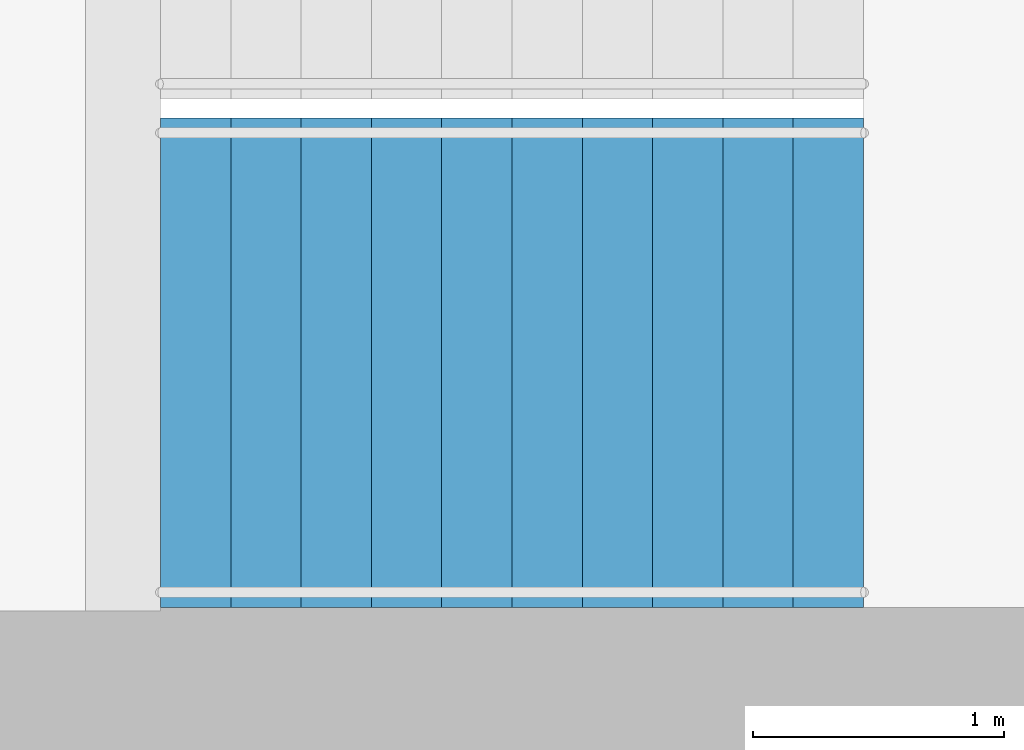
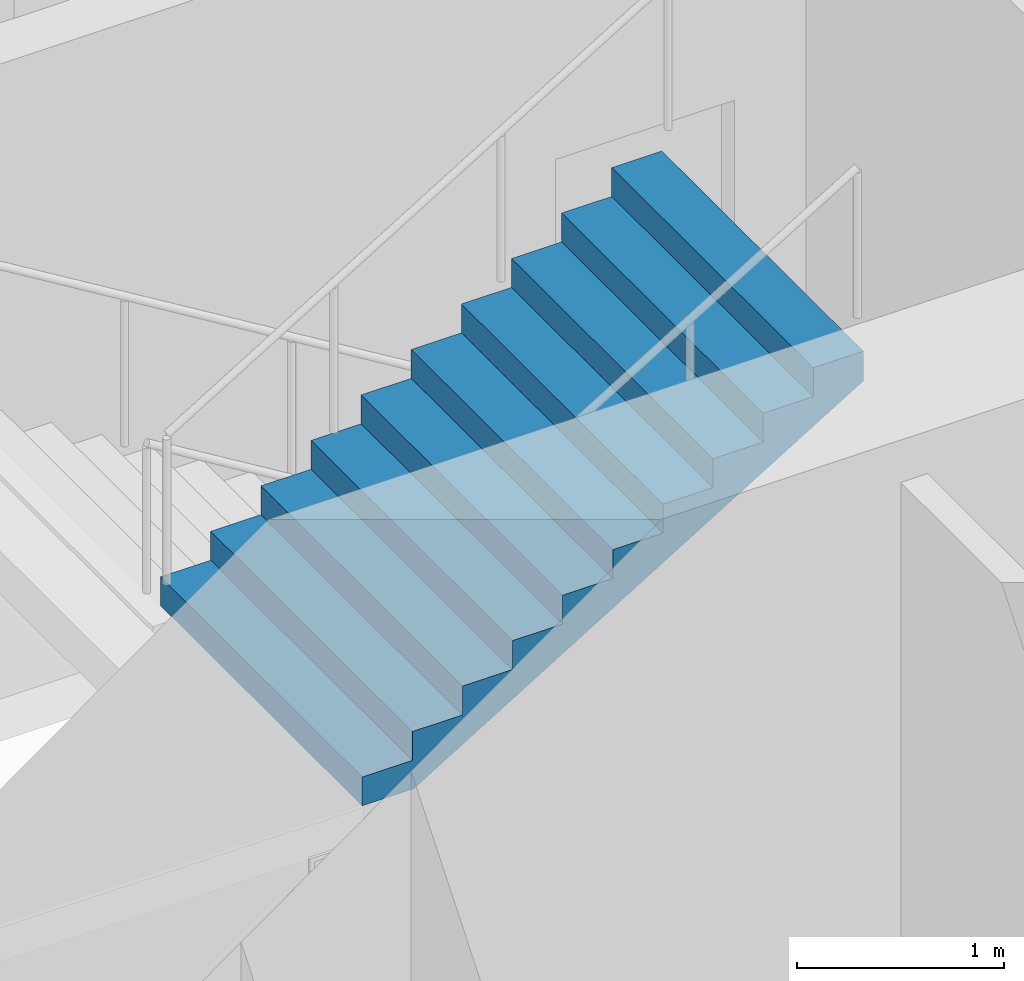
# One storey, part 20 of 22: 1 stair flight, 1 element without a shape of its own.
"""IFC4 building model written with IfcOpenShell, lengths in metres."""

import ifcopenshell
import ifcopenshell.guid

model = None  # the IFC model being written
_history = None  # IfcOwnerHistory: only IFC2X3 demands one
_inside = {}  # id of a spatial element -> (the spatial element, [elements in it])
_under = {}  # id of a project, library or spatial element -> (it, [spatial elements below it])
_declared = {}  # id of a project -> (the project, [libraries it declares])
_typed = {}  # id of a type object -> (the type object, [elements of that type])
_made_of = {}  # id of a material, layer set ... -> (it, [elements and type objects made of it])


def new_model(schema):
    """Start an empty IFC model of exactly this schema.

    Asked for "IFC4X3", IfcOpenShell would pick the latest addendum, in which some entities
    have other attributes; the version numbers below select the first issue.
    IFC2X3 requires an IfcOwnerHistory on every rooted entity: one is made here for all.
    """
    global model, _history
    if schema == "IFC4X3":
        model = ifcopenshell.file(schema_version=(4, 3, 0, 0))
    else:
        model = ifcopenshell.file(schema=schema)
    _inside.clear()
    _under.clear()
    _declared.clear()
    _typed.clear()
    _made_of.clear()
    _history = None
    if model.schema == "IFC2X3":
        org = make("IfcOrganization", Name="unknown")
        user = make(
            "IfcPersonAndOrganization",
            ThePerson=make("IfcPerson", FamilyName="unknown"),
            TheOrganization=org,
        )
        app = make(
            "IfcApplication",
            ApplicationDeveloper=org,
            Version="unknown",
            ApplicationFullName="unknown",
            ApplicationIdentifier="unknown",
        )
        _history = make(
            "IfcOwnerHistory",
            OwningUser=user,
            OwningApplication=app,
            ChangeAction="ADDED",
            CreationDate=0,
        )
    return model


def make(cls, **values):
    """One entity of the class cls with the attributes given. An attribute that is None is left unset."""
    return model.create_entity(
        cls, **{name: value for name, value in values.items() if value is not None}
    )


def rooted(cls, **values):
    """An entity with a GlobalId (a new one), such as an element, a storey or a relation."""
    return make(cls, GlobalId=ifcopenshell.guid.new(), OwnerHistory=_history, **values)


def si_unit(unit_type, name, prefix=None):
    """IfcSIUnit, for example si_unit("LENGTHUNIT", "METRE", prefix="MILLI")."""
    return make("IfcSIUnit", UnitType=unit_type, Prefix=prefix, Name=name)


def assignment(units):
    """IfcUnitAssignment: the units of a project."""
    return None if units is None else make("IfcUnitAssignment", Units=units)


def point(xyz):
    """IfcCartesianPoint."""
    return None if xyz is None else make("IfcCartesianPoint", Coordinates=xyz)


def direction(xyz):
    """IfcDirection."""
    return None if xyz is None else make("IfcDirection", DirectionRatios=xyz)


def frame(location, z_axis=None, x_axis=None):
    """IfcAxis2Placement3D, a coordinate frame: its origin and axes. An axis left out is left unset."""
    return make(
        "IfcAxis2Placement3D",
        Location=point(location),
        Axis=direction(z_axis),
        RefDirection=direction(x_axis),
    )


def origin():
    """The frame at (0, 0, 0) with its axes left unset."""
    return frame((0.0, 0.0, 0.0))


def place(relative_to, where):
    """IfcLocalPlacement: puts the frame where relative to a parent placement (None: the world)."""
    return make(
        "IfcLocalPlacement", PlacementRelTo=relative_to, RelativePlacement=where
    )


def context(
    kind, dimensions, precision=None, world=None, true_north=None, identifier=None
):
    """IfcGeometricRepresentationContext, for example the 3D "Model" context."""
    return make(
        "IfcGeometricRepresentationContext",
        ContextIdentifier=identifier,
        ContextType=kind,
        CoordinateSpaceDimension=dimensions,
        Precision=precision,
        WorldCoordinateSystem=world,
        TrueNorth=true_north,
    )


def subcontext(parent, identifier, kind, view, scale=None):
    """IfcGeometricRepresentationSubContext, for example "Body" below "Model"."""
    return make(
        "IfcGeometricRepresentationSubContext",
        ContextIdentifier=identifier,
        ContextType=kind,
        ParentContext=parent,
        TargetScale=scale,
        TargetView=view,
    )


def project(units=None, contexts=None):
    """IfcProject with its units and contexts."""
    return rooted(
        "IfcProject",
        Name="project",
        RepresentationContexts=contexts,
        UnitsInContext=assignment(units),
    )


def spatial(cls, under=None, at=None, **own):
    """A site, building, storey or space (cls), placed at a placement, below another one or the project."""
    s = rooted(cls, ObjectPlacement=at, **own)
    if under is not None:
        _under.setdefault(under.id(), (under, []))[1].append(s)
    return s


def point_list(points):
    """IfcCartesianPointList2D or 3D."""
    cls = (
        "IfcCartesianPointList2D" if len(points[0]) == 2 else "IfcCartesianPointList3D"
    )
    return make(cls, CoordList=points)


def triangles(points, corners, closed=None, point_numbers=None):
    """IfcTriangulatedFaceSet: each triangle names its three corners, points numbered from 1."""
    return make(
        "IfcTriangulatedFaceSet",
        Coordinates=point_list(points),
        Closed=closed,
        CoordIndex=corners,
        PnIndex=point_numbers,
    )


def shape(context_of_items, identifier, shape_type, items):
    """IfcShapeRepresentation: the items that make up one representation, for example the "Body"."""
    return make(
        "IfcShapeRepresentation",
        ContextOfItems=context_of_items,
        RepresentationIdentifier=identifier,
        RepresentationType=shape_type,
        Items=items,
    )


def material(Name=None, Category=None):
    """IfcMaterial."""
    return make("IfcMaterial", Name=Name, Category=Category)


def made_of(thing, what):
    """Note that an element or type object is made of a material, layer set ...; save() writes the relation."""
    if what is not None:
        _made_of.setdefault(what.id(), (what, []))[1].append(thing)
    return thing


def type_object(cls, material=None, **own):
    """A type object (cls), such as IfcWallType, which elements share."""
    return made_of(rooted(cls, **own), material)


def element(
    cls,
    number,
    at=None,
    inside=None,
    cuts=None,
    type_object=None,
    material=None,
    context=None,
    identifier="Body",
    shape_type=None,
    held_by="IfcProductDefinitionShape",
    body=None,
    shapes=None,
    **own,
):
    """One element of the class cls, such as IfcWall. Its Tag is "e" and its number.

    at: its placement. inside: the storey or other place that contains it. cuts: it is an
    opening in that element (IfcRelVoidsElement). A single representation is given by context,
    identifier, shape_type and body (its items); several are given by shapes. held_by: the class
    of the entity that holds the representations. save() writes the other relations.
    """
    e = rooted(cls, Tag="e%d" % number, ObjectPlacement=at, **own)
    if body is not None:
        shapes = [shape(context, identifier, shape_type, body)]
    if shapes is not None:
        e.Representation = make(held_by, Representations=shapes)
    if inside is not None:
        _inside.setdefault(inside.id(), (inside, []))[1].append(e)
    if cuts is not None:
        rooted(
            "IfcRelVoidsElement", RelatingBuildingElement=cuts, RelatedOpeningElement=e
        )
    if type_object is not None:
        _typed.setdefault(type_object.id(), (type_object, []))[1].append(e)
    return made_of(e, material)


def aggregate(whole, parts):
    """IfcRelAggregates: a whole, such as a stair, and the parts it consists of."""
    return rooted("IfcRelAggregates", RelatingObject=whole, RelatedObjects=parts)


def save(model, path):
    """Write the relations noted so far, then the file.

    IfcRelAggregates (storeys below a building ...), IfcRelContainedInSpatialStructure (elements
    in a storey), IfcRelDefinesByType, IfcRelAssociatesMaterial and IfcRelDeclares: one each for
    every whole, place, type object, material and project.
    """
    for whole, parts in _under.values():
        aggregate(whole, parts)
    for where, things in _inside.values():
        rooted(
            "IfcRelContainedInSpatialStructure",
            RelatedElements=things,
            RelatingStructure=where,
        )
    for kind, things in _typed.values():
        rooted("IfcRelDefinesByType", RelatedObjects=things, RelatingType=kind)
    for what, things in _made_of.values():
        rooted("IfcRelAssociatesMaterial", RelatedObjects=things, RelatingMaterial=what)
    for by, libraries in _declared.values():
        rooted("IfcRelDeclares", RelatingContext=by, RelatedDefinitions=libraries)
    model.write(path)


model = new_model("IFC4")

# Units and contexts
model_context = context("Model", 3, precision=1e-05, world=origin(), true_north=direction((0.0, 1.0)))
body_context = subcontext(model_context, "Body", "Model", "MODEL_VIEW")
ifc_project = project(units=[si_unit("LENGTHUNIT", "METRE"), si_unit("AREAUNIT", "SQUARE_METRE"), si_unit("VOLUMEUNIT", "CUBIC_METRE"), si_unit("PLANEANGLEUNIT", "RADIAN"), si_unit("MASSUNIT", "GRAM", prefix="KILO")], contexts=[model_context])

# Site, building, storey
site_placement = place(None, origin())
site = spatial("IfcSite", under=ifc_project, at=site_placement, CompositionType="ELEMENT")
building_placement = place(site_placement, origin())
building = spatial("IfcBuilding", under=site, at=building_placement, Name="Orbita Commons", CompositionType="ELEMENT")
storey_placement = place(building_placement, frame((0.0, 0.0, 118.14990234375)))
storey = spatial("IfcBuildingStorey", under=building, at=storey_placement, Name="L29", CompositionType="ELEMENT", Elevation=118.14990234375)

# Stair, stair flight
ifc_material_1 = material(Name="Precast concrete C40/50", Category="concrete")
stair_type = type_object("IfcStairType", Name="Exit stair S2 2 flights 11 risers 170", PredefinedType="HALF_TURN_STAIR", material=ifc_material_1)
stair_placement = place(storey_placement, origin())
stair = element("IfcStair", 1, at=stair_placement, inside=storey, type_object=stair_type, Name="Exit stair S2 L29", PredefinedType="HALF_TURN_STAIR")
ifc_material_2 = material(Name="Precast concrete C40/50", Category="concrete")
stair_flight_type = type_object("IfcStairFlightType", Name="Stair flight 11 risers 170 x 280", PredefinedType="STRAIGHT", material=ifc_material_2)
stair_flight_placement = place(storey_placement, frame((60.75, 27.25, 1.875), z_axis=(0.0, 0.0, 1.0), x_axis=(1.0, 0.0, 0.0)))
stair_flight = element("IfcStairFlight", 2, at=stair_flight_placement, type_object=stair_flight_type, Name="S2 flight 2", NumberOfRisers=11, NumberOfTreads=10, PredefinedType="STRAIGHT", RiserHeight=0.170454545, TreadLength=0.28, context=body_context, shape_type="Tessellation", body=[
    triangles([(0.0, 0.974976, 0.0), (0.0, 0.974976, 0.021307), (0.0, 0.81248, 0.021307), (0.0, 0.81248, 0.0), (0.0, 0.649984, 0.021307), (0.0, 0.649984, 0.0), (0.0, 0.487488, 0.021307), (0.0, 0.487488, 0.0), (0.0, 0.324992, 0.021307), (0.0, 0.324992, 0.0), (0.0, 0.162496, 0.021307), (0.0, 0.162496, 0.0), (0.0, 0.0, 0.021307), (0.0, 0.0, 0.0), (0.0, -0.162496, 0.021307), (0.0, -0.162496, 0.0), (0.0, -0.324992, 0.021307), (0.0, -0.324992, 0.0), (0.0, -0.487488, 0.021307), (0.0, -0.487488, 0.0), (0.0, -0.649984, 0.021307), (0.0, -0.649984, 0.0), (0.0, -0.81248, 0.021307), (0.0, -0.81248, 0.0), (0.0, -0.974976, 0.021307), (0.0, -0.974976, 0.0), (0.0, 0.974976, 0.042614), (0.0, 0.81248, 0.042614), (0.0, 0.649984, 0.042614), (0.0, 0.487488, 0.042614), (0.0, 0.324992, 0.042614), (0.0, 0.162496, 0.042614), (0.0, 0.0, 0.042614), (0.0, -0.162496, 0.042614), (0.0, -0.324992, 0.042614), (0.0, -0.487488, 0.042614), (0.0, -0.649984, 0.042614), (0.0, -0.81248, 0.042614), (0.0, -0.974976, 0.042614), (0.0, 0.974976, 0.06392), (0.0, 0.81248, 0.06392), (0.0, 0.649984, 0.06392), (0.0, 0.487488, 0.06392), (0.0, 0.324992, 0.06392), (0.0, 0.162496, 0.06392), (0.0, 0.0, 0.06392), (0.0, -0.162496, 0.06392), (0.0, -0.324992, 0.06392), (0.0, -0.487488, 0.06392), (0.0, -0.649984, 0.06392), (0.0, -0.81248, 0.06392), (0.0, -0.974976, 0.06392), (0.0, 0.974976, 0.085227), (0.0, 0.81248, 0.085227), (0.0, 0.649984, 0.085227), (0.0, 0.487488, 0.085227), (0.0, 0.324992, 0.085227), (0.0, 0.162496, 0.085227), (0.0, 0.0, 0.085227), (0.0, -0.162496, 0.085227), (0.0, -0.324992, 0.085227), (0.0, -0.487488, 0.085227), (0.0, -0.649984, 0.085227), (0.0, -0.81248, 0.085227), (0.0, -0.974976, 0.085227), (0.0, 0.974976, 0.106534), (0.0, 0.81248, 0.106534), (0.0, 0.649984, 0.106534), (0.0, 0.487488, 0.106534), (0.0, 0.324992, 0.106534), (0.0, 0.162496, 0.106534), (0.0, 0.0, 0.106534), (0.0, -0.162496, 0.106534), (0.0, -0.324992, 0.106534), (0.0, -0.487488, 0.106534), (0.0, -0.649984, 0.106534), (0.0, -0.81248, 0.106534), (0.0, -0.974976, 0.106534), (0.0, 0.974976, 0.127841), (0.0, 0.81248, 0.127841), (0.0, 0.649984, 0.127841), (0.0, 0.487488, 0.127841), (0.0, 0.324992, 0.127841), (0.0, 0.162496, 0.127841), (0.0, 0.0, 0.127841), (0.0, -0.162496, 0.127841), (0.0, -0.324992, 0.127841), (0.0, -0.487488, 0.127841), (0.0, -0.649984, 0.127841), (0.0, -0.81248, 0.127841), (0.0, -0.974976, 0.127841), (0.0, 0.974976, 0.149148), (0.0, 0.81248, 0.149148), (0.0, 0.649984, 0.149148), (0.0, 0.487488, 0.149148), (0.0, 0.324992, 0.149148), (0.0, 0.162496, 0.149148), (0.0, 0.0, 0.149148), (0.0, -0.162496, 0.149148), (0.0, -0.324992, 0.149148), (0.0, -0.487488, 0.149148), (0.0, -0.649984, 0.149148), (0.0, -0.81248, 0.149148), (0.0, -0.974976, 0.149148), (0.0, 0.974976, 0.170455), (0.0, 0.81248, 0.170455), (0.0, 0.649984, 0.170455), (0.0, 0.487488, 0.170455), (0.0, 0.324992, 0.170455), (0.0, 0.162496, 0.170455), (0.0, 0.0, 0.170455), (0.0, -0.162496, 0.170455), (0.0, -0.324992, 0.170455), (0.0, -0.487488, 0.170455), (0.0, -0.649984, 0.170455), (0.0, -0.81248, 0.170455), (0.0, -0.974976, 0.170455), (0.28, 0.974976, 0.170455), (0.28, 0.81248, 0.170455), (0.28, 0.649984, 0.170455), (0.28, 0.487488, 0.170455), (0.28, 0.324992, 0.170455), (0.28, 0.162496, 0.170455), (0.28, 0.0, 0.170455), (0.28, -0.162496, 0.170455), (0.28, -0.324992, 0.170455), (0.28, -0.487488, 0.170455), (0.28, -0.649984, 0.170455), (0.28, -0.81248, 0.170455), (0.28, -0.974976, 0.170455), (0.28, 0.974976, 0.340909), (0.28, 0.81248, 0.340909), (0.28, 0.649984, 0.340909), (0.28, 0.487488, 0.340909), (0.28, 0.324992, 0.340909), (0.28, 0.162496, 0.340909), (0.28, 0.0, 0.340909), (0.28, -0.162496, 0.340909), (0.28, -0.324992, 0.340909), (0.28, -0.487488, 0.340909), (0.28, -0.649984, 0.340909), (0.28, -0.81248, 0.340909), (0.28, -0.974976, 0.340909), (0.56, 0.974976, 0.340909), (0.56, 0.81248, 0.340909), (0.56, 0.649984, 0.340909), (0.56, 0.487488, 0.340909), (0.56, 0.324992, 0.340909), (0.56, 0.162496, 0.340909), (0.56, 0.0, 0.340909), (0.56, -0.162496, 0.340909), (0.56, -0.324992, 0.340909), (0.56, -0.487488, 0.340909), (0.56, -0.649984, 0.340909), (0.56, -0.81248, 0.340909), (0.56, -0.974976, 0.340909), (0.56, 0.974976, 0.511364), (0.56, 0.81248, 0.511364), (0.56, 0.649984, 0.511364), (0.56, 0.487488, 0.511364), (0.56, 0.324992, 0.511364), (0.56, 0.162496, 0.511364), (0.56, 0.0, 0.511364), (0.56, -0.162496, 0.511364), (0.56, -0.324992, 0.511364), (0.56, -0.487488, 0.511364), (0.56, -0.649984, 0.511364), (0.56, -0.81248, 0.511364), (0.56, -0.974976, 0.511364), (0.84, 0.974976, 0.511364), (0.84, 0.81248, 0.511364), (0.84, 0.649984, 0.511364), (0.84, 0.487488, 0.511364), (0.84, 0.324992, 0.511364), (0.84, 0.162496, 0.511364), (0.84, 0.0, 0.511364), (0.84, -0.162496, 0.511364), (0.84, -0.324992, 0.511364), (0.84, -0.487488, 0.511364), (0.84, -0.649984, 0.511364), (0.84, -0.81248, 0.511364), (0.84, -0.974976, 0.511364), (0.84, 0.974976, 0.681818), (0.84, 0.81248, 0.681818), (0.84, 0.649984, 0.681818), (0.84, 0.487488, 0.681818), (0.84, 0.324992, 0.681818), (0.84, 0.162496, 0.681818), (0.84, 0.0, 0.681818), (0.84, -0.162496, 0.681818), (0.84, -0.324992, 0.681818), (0.84, -0.487488, 0.681818), (0.84, -0.649984, 0.681818), (0.84, -0.81248, 0.681818), (0.84, -0.974976, 0.681818), (1.12, 0.974976, 0.681818), (1.12, 0.81248, 0.681818), (1.12, 0.649984, 0.681818), (1.12, 0.487488, 0.681818), (1.12, 0.324992, 0.681818), (1.12, 0.162496, 0.681818), (1.12, 0.0, 0.681818), (1.12, -0.162496, 0.681818), (1.12, -0.324992, 0.681818), (1.12, -0.487488, 0.681818), (1.12, -0.649984, 0.681818), (1.12, -0.81248, 0.681818), (1.12, -0.974976, 0.681818), (1.12, 0.974976, 0.852273), (1.12, 0.81248, 0.852273), (1.12, 0.649984, 0.852273), (1.12, 0.487488, 0.852273), (1.12, 0.324992, 0.852273), (1.12, 0.162496, 0.852273), (1.12, 0.0, 0.852273), (1.12, -0.162496, 0.852273), (1.12, -0.324992, 0.852273), (1.12, -0.487488, 0.852273), (1.12, -0.649984, 0.852273), (1.12, -0.81248, 0.852273), (1.12, -0.974976, 0.852273), (1.4, 0.974976, 0.852273), (1.4, 0.81248, 0.852273), (1.4, 0.649984, 0.852273), (1.4, 0.487488, 0.852273), (1.4, 0.324992, 0.852273), (1.4, 0.162496, 0.852273), (1.4, 0.0, 0.852273), (1.4, -0.162496, 0.852273), (1.4, -0.324992, 0.852273), (1.4, -0.487488, 0.852273), (1.4, -0.649984, 0.852273), (1.4, -0.81248, 0.852273), (1.4, -0.974976, 0.852273), (1.4, 0.974976, 1.022727), (1.4, 0.81248, 1.022727), (1.4, 0.649984, 1.022727), (1.4, 0.487488, 1.022727), (1.4, 0.324992, 1.022727), (1.4, 0.162496, 1.022727), (1.4, 0.0, 1.022727), (1.4, -0.162496, 1.022727), (1.4, -0.324992, 1.022727), (1.4, -0.487488, 1.022727), (1.4, -0.649984, 1.022727), (1.4, -0.81248, 1.022727), (1.4, -0.974976, 1.022727), (1.68, 0.974976, 1.022727), (1.68, 0.81248, 1.022727), (1.68, 0.649984, 1.022727), (1.68, 0.487488, 1.022727), (1.68, 0.324992, 1.022727), (1.68, 0.162496, 1.022727), (1.68, 0.0, 1.022727), (1.68, -0.162496, 1.022727), (1.68, -0.324992, 1.022727), (1.68, -0.487488, 1.022727), (1.68, -0.649984, 1.022727), (1.68, -0.81248, 1.022727), (1.68, -0.974976, 1.022727), (1.68, 0.974976, 1.193182), (1.68, 0.81248, 1.193182), (1.68, 0.649984, 1.193182), (1.68, 0.487488, 1.193182), (1.68, 0.324992, 1.193182), (1.68, 0.162496, 1.193182), (1.68, 0.0, 1.193182), (1.68, -0.162496, 1.193182), (1.68, -0.324992, 1.193182), (1.68, -0.487488, 1.193182), (1.68, -0.649984, 1.193182), (1.68, -0.81248, 1.193182), (1.68, -0.974976, 1.193182), (1.96, 0.974976, 1.193182), (1.96, 0.81248, 1.193182), (1.96, 0.649984, 1.193182), (1.96, 0.487488, 1.193182), (1.96, 0.324992, 1.193182), (1.96, 0.162496, 1.193182), (1.96, 0.0, 1.193182), (1.96, -0.162496, 1.193182), (1.96, -0.324992, 1.193182), (1.96, -0.487488, 1.193182), (1.96, -0.649984, 1.193182), (1.96, -0.81248, 1.193182), (1.96, -0.974976, 1.193182), (1.96, 0.974976, 1.363636), (1.96, 0.81248, 1.363636), (1.96, 0.649984, 1.363636), (1.96, 0.487488, 1.363636), (1.96, 0.324992, 1.363636), (1.96, 0.162496, 1.363636), (1.96, 0.0, 1.363636), (1.96, -0.162496, 1.363636), (1.96, -0.324992, 1.363636), (1.96, -0.487488, 1.363636), (1.96, -0.649984, 1.363636), (1.96, -0.81248, 1.363636), (1.96, -0.974976, 1.363636), (2.24, 0.974976, 1.363636), (2.24, 0.81248, 1.363636), (2.24, 0.649984, 1.363636), (2.24, 0.487488, 1.363636), (2.24, 0.324992, 1.363636), (2.24, 0.162496, 1.363636), (2.24, 0.0, 1.363636), (2.24, -0.162496, 1.363636), (2.24, -0.324992, 1.363636), (2.24, -0.487488, 1.363636), (2.24, -0.649984, 1.363636), (2.24, -0.81248, 1.363636), (2.24, -0.974976, 1.363636), (2.24, 0.974976, 1.534091), (2.24, 0.81248, 1.534091), (2.24, 0.649984, 1.534091), (2.24, 0.487488, 1.534091), (2.24, 0.324992, 1.534091), (2.24, 0.162496, 1.534091), (2.24, 0.0, 1.534091), (2.24, -0.162496, 1.534091), (2.24, -0.324992, 1.534091), (2.24, -0.487488, 1.534091), (2.24, -0.649984, 1.534091), (2.24, -0.81248, 1.534091), (2.24, -0.974976, 1.534091), (2.52, 0.974976, 1.534091), (2.52, 0.81248, 1.534091), (2.52, 0.649984, 1.534091), (2.52, 0.487488, 1.534091), (2.52, 0.324992, 1.534091), (2.52, 0.162496, 1.534091), (2.52, 0.0, 1.534091), (2.52, -0.162496, 1.534091), (2.52, -0.324992, 1.534091), (2.52, -0.487488, 1.534091), (2.52, -0.649984, 1.534091), (2.52, -0.81248, 1.534091), (2.52, -0.974976, 1.534091), (2.52, 0.974976, 1.704545), (2.52, 0.81248, 1.704545), (2.52, 0.649984, 1.704545), (2.52, 0.487488, 1.704545), (2.52, 0.324992, 1.704545), (2.52, 0.162496, 1.704545), (2.52, 0.0, 1.704545), (2.52, -0.162496, 1.704545), (2.52, -0.324992, 1.704545), (2.52, -0.487488, 1.704545), (2.52, -0.649984, 1.704545), (2.52, -0.81248, 1.704545), (2.52, -0.974976, 1.704545), (2.8, 0.974976, 1.704545), (2.8, 0.81248, 1.704545), (2.8, 0.649984, 1.704545), (2.8, 0.487488, 1.704545), (2.8, 0.324992, 1.704545), (2.8, 0.162496, 1.704545), (2.8, 0.0, 1.704545), (2.8, -0.162496, 1.704545), (2.8, -0.324992, 1.704545), (2.8, -0.487488, 1.704545), (2.8, -0.649984, 1.704545), (2.8, -0.81248, 1.704545), (2.8, -0.974976, 1.704545), (2.8, 0.974976, 1.682609), (2.8, 0.81248, 1.682609), (2.8, 0.649984, 1.682609), (2.8, 0.487488, 1.682609), (2.8, 0.324992, 1.682609), (2.8, 0.162496, 1.682609), (2.8, 0.0, 1.682609), (2.8, -0.162496, 1.682609), (2.8, -0.324992, 1.682609), (2.8, -0.487488, 1.682609), (2.8, -0.649984, 1.682609), (2.8, -0.81248, 1.682609), (2.8, -0.974976, 1.682609), (2.8, 0.974976, 1.660672), (2.8, 0.81248, 1.660672), (2.8, 0.649984, 1.660672), (2.8, 0.487488, 1.660672), (2.8, 0.324992, 1.660672), (2.8, 0.162496, 1.660672), (2.8, 0.0, 1.660672), (2.8, -0.162496, 1.660672), (2.8, -0.324992, 1.660672), (2.8, -0.487488, 1.660672), (2.8, -0.649984, 1.660672), (2.8, -0.81248, 1.660672), (2.8, -0.974976, 1.660672), (2.8, 0.974976, 1.638735), (2.8, 0.81248, 1.638735), (2.8, 0.649984, 1.638735), (2.8, 0.487488, 1.638735), (2.8, 0.324992, 1.638735), (2.8, 0.162496, 1.638735), (2.8, 0.0, 1.638735), (2.8, -0.162496, 1.638735), (2.8, -0.324992, 1.638735), (2.8, -0.487488, 1.638735), (2.8, -0.649984, 1.638735), (2.8, -0.81248, 1.638735), (2.8, -0.974976, 1.638735), (2.8, 0.974976, 1.616798), (2.8, 0.81248, 1.616798), (2.8, 0.649984, 1.616798), (2.8, 0.487488, 1.616798), (2.8, 0.324992, 1.616798), (2.8, 0.162496, 1.616798), (2.8, 0.0, 1.616798), (2.8, -0.162496, 1.616798), (2.8, -0.324992, 1.616798), (2.8, -0.487488, 1.616798), (2.8, -0.649984, 1.616798), (2.8, -0.81248, 1.616798), (2.8, -0.974976, 1.616798), (2.8, 0.974976, 1.594861), (2.8, 0.81248, 1.594861), (2.8, 0.649984, 1.594861), (2.8, 0.487488, 1.594861), (2.8, 0.324992, 1.594861), (2.8, 0.162496, 1.594861), (2.8, 0.0, 1.594861), (2.8, -0.162496, 1.594861), (2.8, -0.324992, 1.594861), (2.8, -0.487488, 1.594861), (2.8, -0.649984, 1.594861), (2.8, -0.81248, 1.594861), (2.8, -0.974976, 1.594861), (2.8, 0.974976, 1.572925), (2.8, 0.81248, 1.572925), (2.8, 0.649984, 1.572925), (2.8, 0.487488, 1.572925), (2.8, 0.324992, 1.572925), (2.8, 0.162496, 1.572925), (2.8, 0.0, 1.572925), (2.8, -0.162496, 1.572925), (2.8, -0.324992, 1.572925), (2.8, -0.487488, 1.572925), (2.8, -0.649984, 1.572925), (2.8, -0.81248, 1.572925), (2.8, -0.974976, 1.572925), (2.8, 0.974976, 1.550988), (2.8, 0.81248, 1.550988), (2.8, 0.649984, 1.550988), (2.8, 0.487488, 1.550988), (2.8, 0.324992, 1.550988), (2.8, 0.162496, 1.550988), (2.8, 0.0, 1.550988), (2.8, -0.162496, 1.550988), (2.8, -0.324992, 1.550988), (2.8, -0.487488, 1.550988), (2.8, -0.649984, 1.550988), (2.8, -0.81248, 1.550988), (2.8, -0.974976, 1.550988), (2.8, 0.974976, 1.529051), (2.8, 0.81248, 1.529051), (2.8, 0.649984, 1.529051), (2.8, 0.487488, 1.529051), (2.8, 0.324992, 1.529051), (2.8, 0.162496, 1.529051), (2.8, 0.0, 1.529051), (2.8, -0.162496, 1.529051), (2.8, -0.324992, 1.529051), (2.8, -0.487488, 1.529051), (2.8, -0.649984, 1.529051), (2.8, -0.81248, 1.529051), (2.8, -0.974976, 1.529051), (0.288279, 0.974976, 0.0), (0.288279, 0.81248, 0.0), (0.288279, 0.649984, 0.0), (0.288279, 0.487488, 0.0), (0.288279, 0.324992, 0.0), (0.288279, 0.162496, 0.0), (0.288279, 0.0, 0.0), (0.288279, -0.162496, 0.0), (0.288279, -0.324992, 0.0), (0.288279, -0.487488, 0.0), (0.288279, -0.649984, 0.0), (0.288279, -0.81248, 0.0), (0.288279, -0.974976, 0.0)], [[3, 2, 1], [4, 3, 1], [5, 3, 4], [6, 5, 4], [7, 5, 6], [8, 7, 6], [9, 7, 8], [10, 9, 8], [11, 9, 10], [12, 11, 10], [13, 11, 12], [14, 13, 12], [15, 13, 14], [16, 15, 14], [17, 15, 16], [18, 17, 16], [19, 17, 18], [20, 19, 18], [21, 19, 20], [22, 21, 20], [23, 21, 22], [24, 23, 22], [25, 23, 24], [26, 25, 24], [28, 27, 2], [3, 28, 2], [29, 28, 3], [5, 29, 3], [30, 29, 5], [7, 30, 5], [31, 30, 7], [9, 31, 7], [32, 31, 9], [11, 32, 9], [33, 32, 11], [13, 33, 11], [34, 33, 13], [15, 34, 13], [35, 34, 15], [17, 35, 15], [36, 35, 17], [19, 36, 17], [37, 36, 19], [21, 37, 19], [38, 37, 21], [23, 38, 21], [39, 38, 23], [25, 39, 23], [41, 40, 27], [28, 41, 27], [42, 41, 28], [29, 42, 28], [43, 42, 29], [30, 43, 29], [44, 43, 30], [31, 44, 30], [45, 44, 31], [32, 45, 31], [46, 45, 32], [33, 46, 32], [47, 46, 33], [34, 47, 33], [48, 47, 34], [35, 48, 34], [49, 48, 35], [36, 49, 35], [50, 49, 36], [37, 50, 36], [51, 50, 37], [38, 51, 37], [52, 51, 38], [39, 52, 38], [54, 53, 40], [41, 54, 40], [55, 54, 41], [42, 55, 41], [56, 55, 42], [43, 56, 42], [57, 56, 43], [44, 57, 43], [58, 57, 44], [45, 58, 44], [59, 58, 45], [46, 59, 45], [60, 59, 46], [47, 60, 46], [61, 60, 47], [48, 61, 47], [62, 61, 48], [49, 62, 48], [63, 62, 49], [50, 63, 49], [64, 63, 50], [51, 64, 50], [65, 64, 51], [52, 65, 51], [67, 66, 53], [54, 67, 53], [68, 67, 54], [55, 68, 54], [69, 68, 55], [56, 69, 55], [70, 69, 56], [57, 70, 56], [71, 70, 57], [58, 71, 57], [72, 71, 58], [59, 72, 58], [73, 72, 59], [60, 73, 59], [74, 73, 60], [61, 74, 60], [75, 74, 61], [62, 75, 61], [76, 75, 62], [63, 76, 62], [77, 76, 63], [64, 77, 63], [78, 77, 64], [65, 78, 64], [80, 79, 66], [67, 80, 66], [81, 80, 67], [68, 81, 67], [82, 81, 68], [69, 82, 68], [83, 82, 69], [70, 83, 69], [84, 83, 70], [71, 84, 70], [85, 84, 71], [72, 85, 71], [86, 85, 72], [73, 86, 72], [87, 86, 73], [74, 87, 73], [88, 87, 74], [75, 88, 74], [89, 88, 75], [76, 89, 75], [90, 89, 76], [77, 90, 76], [91, 90, 77], [78, 91, 77], [93, 92, 79], [80, 93, 79], [94, 93, 80], [81, 94, 80], [95, 94, 81], [82, 95, 81], [96, 95, 82], [83, 96, 82], [97, 96, 83], [84, 97, 83], [98, 97, 84], [85, 98, 84], [99, 98, 85], [86, 99, 85], [100, 99, 86], [87, 100, 86], [101, 100, 87], [88, 101, 87], [102, 101, 88], [89, 102, 88], [103, 102, 89], [90, 103, 89], [104, 103, 90], [91, 104, 90], [106, 105, 92], [93, 106, 92], [107, 106, 93], [94, 107, 93], [108, 107, 94], [95, 108, 94], [109, 108, 95], [96, 109, 95], [110, 109, 96], [97, 110, 96], [111, 110, 97], [98, 111, 97], [112, 111, 98], [99, 112, 98], [113, 112, 99], [100, 113, 99], [114, 113, 100], [101, 114, 100], [115, 114, 101], [102, 115, 101], [116, 115, 102], [103, 116, 102], [117, 116, 103], [104, 117, 103], [119, 118, 105], [106, 119, 105], [120, 119, 106], [107, 120, 106], [121, 120, 107], [108, 121, 107], [122, 121, 108], [109, 122, 108], [123, 122, 109], [110, 123, 109], [124, 123, 110], [111, 124, 110], [125, 124, 111], [112, 125, 111], [126, 125, 112], [113, 126, 112], [127, 126, 113], [114, 127, 113], [128, 127, 114], [115, 128, 114], [129, 128, 115], [116, 129, 115], [130, 129, 116], [117, 130, 116], [132, 131, 118], [119, 132, 118], [133, 132, 119], [120, 133, 119], [134, 133, 120], [121, 134, 120], [135, 134, 121], [122, 135, 121], [136, 135, 122], [123, 136, 122], [137, 136, 123], [124, 137, 123], [138, 137, 124], [125, 138, 124], [139, 138, 125], [126, 139, 125], [140, 139, 126], [127, 140, 126], [141, 140, 127], [128, 141, 127], [142, 141, 128], [129, 142, 128], [143, 142, 129], [130, 143, 129], [145, 144, 131], [132, 145, 131], [146, 145, 132], [133, 146, 132], [147, 146, 133], [134, 147, 133], [148, 147, 134], [135, 148, 134], [149, 148, 135], [136, 149, 135], [150, 149, 136], [137, 150, 136], [151, 150, 137], [138, 151, 137], [152, 151, 138], [139, 152, 138], [153, 152, 139], [140, 153, 139], [154, 153, 140], [141, 154, 140], [155, 154, 141], [142, 155, 141], [156, 155, 142], [143, 156, 142], [158, 157, 144], [145, 158, 144], [159, 158, 145], [146, 159, 145], [160, 159, 146], [147, 160, 146], [161, 160, 147], [148, 161, 147], [162, 161, 148], [149, 162, 148], [163, 162, 149], [150, 163, 149], [164, 163, 150], [151, 164, 150], [165, 164, 151], [152, 165, 151], [166, 165, 152], [153, 166, 152], [167, 166, 153], [154, 167, 153], [168, 167, 154], [155, 168, 154], [169, 168, 155], [156, 169, 155], [171, 170, 157], [158, 171, 157], [172, 171, 158], [159, 172, 158], [173, 172, 159], [160, 173, 159], [174, 173, 160], [161, 174, 160], [175, 174, 161], [162, 175, 161], [176, 175, 162], [163, 176, 162], [177, 176, 163], [164, 177, 163], [178, 177, 164], [165, 178, 164], [179, 178, 165], [166, 179, 165], [180, 179, 166], [167, 180, 166], [181, 180, 167], [168, 181, 167], [182, 181, 168], [169, 182, 168], [184, 183, 170], [171, 184, 170], [185, 184, 171], [172, 185, 171], [186, 185, 172], [173, 186, 172], [187, 186, 173], [174, 187, 173], [188, 187, 174], [175, 188, 174], [189, 188, 175], [176, 189, 175], [190, 189, 176], [177, 190, 176], [191, 190, 177], [178, 191, 177], [192, 191, 178], [179, 192, 178], [193, 192, 179], [180, 193, 179], [194, 193, 180], [181, 194, 180], [195, 194, 181], [182, 195, 181], [197, 196, 183], [184, 197, 183], [198, 197, 184], [185, 198, 184], [199, 198, 185], [186, 199, 185], [200, 199, 186], [187, 200, 186], [201, 200, 187], [188, 201, 187], [202, 201, 188], [189, 202, 188], [203, 202, 189], [190, 203, 189], [204, 203, 190], [191, 204, 190], [205, 204, 191], [192, 205, 191], [206, 205, 192], [193, 206, 192], [207, 206, 193], [194, 207, 193], [208, 207, 194], [195, 208, 194], [210, 209, 196], [197, 210, 196], [211, 210, 197], [198, 211, 197], [212, 211, 198], [199, 212, 198], [213, 212, 199], [200, 213, 199], [214, 213, 200], [201, 214, 200], [215, 214, 201], [202, 215, 201], [216, 215, 202], [203, 216, 202], [217, 216, 203], [204, 217, 203], [218, 217, 204], [205, 218, 204], [219, 218, 205], [206, 219, 205], [220, 219, 206], [207, 220, 206], [221, 220, 207], [208, 221, 207], [223, 222, 209], [210, 223, 209], [224, 223, 210], [211, 224, 210], [225, 224, 211], [212, 225, 211], [226, 225, 212], [213, 226, 212], [227, 226, 213], [214, 227, 213], [228, 227, 214], [215, 228, 214], [229, 228, 215], [216, 229, 215], [230, 229, 216], [217, 230, 216], [231, 230, 217], [218, 231, 217], [232, 231, 218], [219, 232, 218], [233, 232, 219], [220, 233, 219], [234, 233, 220], [221, 234, 220], [236, 235, 222], [223, 236, 222], [237, 236, 223], [224, 237, 223], [238, 237, 224], [225, 238, 224], [239, 238, 225], [226, 239, 225], [240, 239, 226], [227, 240, 226], [241, 240, 227], [228, 241, 227], [242, 241, 228], [229, 242, 228], [243, 242, 229], [230, 243, 229], [244, 243, 230], [231, 244, 230], [245, 244, 231], [232, 245, 231], [246, 245, 232], [233, 246, 232], [247, 246, 233], [234, 247, 233], [249, 248, 235], [236, 249, 235], [250, 249, 236], [237, 250, 236], [251, 250, 237], [238, 251, 237], [252, 251, 238], [239, 252, 238], [253, 252, 239], [240, 253, 239], [254, 253, 240], [241, 254, 240], [255, 254, 241], [242, 255, 241], [256, 255, 242], [243, 256, 242], [257, 256, 243], [244, 257, 243], [258, 257, 244], [245, 258, 244], [259, 258, 245], [246, 259, 245], [260, 259, 246], [247, 260, 246], [262, 261, 248], [249, 262, 248], [263, 262, 249], [250, 263, 249], [264, 263, 250], [251, 264, 250], [265, 264, 251], [252, 265, 251], [266, 265, 252], [253, 266, 252], [267, 266, 253], [254, 267, 253], [268, 267, 254], [255, 268, 254], [269, 268, 255], [256, 269, 255], [270, 269, 256], [257, 270, 256], [271, 270, 257], [258, 271, 257], [272, 271, 258], [259, 272, 258], [273, 272, 259], [260, 273, 259], [275, 274, 261], [262, 275, 261], [276, 275, 262], [263, 276, 262], [277, 276, 263], [264, 277, 263], [278, 277, 264], [265, 278, 264], [279, 278, 265], [266, 279, 265], [280, 279, 266], [267, 280, 266], [281, 280, 267], [268, 281, 267], [282, 281, 268], [269, 282, 268], [283, 282, 269], [270, 283, 269], [284, 283, 270], [271, 284, 270], [285, 284, 271], [272, 285, 271], [286, 285, 272], [273, 286, 272], [288, 287, 274], [275, 288, 274], [289, 288, 275], [276, 289, 275], [290, 289, 276], [277, 290, 276], [291, 290, 277], [278, 291, 277], [292, 291, 278], [279, 292, 278], [293, 292, 279], [280, 293, 279], [294, 293, 280], [281, 294, 280], [295, 294, 281], [282, 295, 281], [296, 295, 282], [283, 296, 282], [297, 296, 283], [284, 297, 283], [298, 297, 284], [285, 298, 284], [299, 298, 285], [286, 299, 285], [301, 300, 287], [288, 301, 287], [302, 301, 288], [289, 302, 288], [303, 302, 289], [290, 303, 289], [304, 303, 290], [291, 304, 290], [305, 304, 291], [292, 305, 291], [306, 305, 292], [293, 306, 292], [307, 306, 293], [294, 307, 293], [308, 307, 294], [295, 308, 294], [309, 308, 295], [296, 309, 295], [310, 309, 296], [297, 310, 296], [311, 310, 297], [298, 311, 297], [312, 311, 298], [299, 312, 298], [314, 313, 300], [301, 314, 300], [315, 314, 301], [302, 315, 301], [316, 315, 302], [303, 316, 302], [317, 316, 303], [304, 317, 303], [318, 317, 304], [305, 318, 304], [319, 318, 305], [306, 319, 305], [320, 319, 306], [307, 320, 306], [321, 320, 307], [308, 321, 307], [322, 321, 308], [309, 322, 308], [323, 322, 309], [310, 323, 309], [324, 323, 310], [311, 324, 310], [325, 324, 311], [312, 325, 311], [327, 326, 313], [314, 327, 313], [328, 327, 314], [315, 328, 314], [329, 328, 315], [316, 329, 315], [330, 329, 316], [317, 330, 316], [331, 330, 317], [318, 331, 317], [332, 331, 318], [319, 332, 318], [333, 332, 319], [320, 333, 319], [334, 333, 320], [321, 334, 320], [335, 334, 321], [322, 335, 321], [336, 335, 322], [323, 336, 322], [337, 336, 323], [324, 337, 323], [338, 337, 324], [325, 338, 324], [340, 339, 326], [327, 340, 326], [341, 340, 327], [328, 341, 327], [342, 341, 328], [329, 342, 328], [343, 342, 329], [330, 343, 329], [344, 343, 330], [331, 344, 330], [345, 344, 331], [332, 345, 331], [346, 345, 332], [333, 346, 332], [347, 346, 333], [334, 347, 333], [348, 347, 334], [335, 348, 334], [349, 348, 335], [336, 349, 335], [350, 349, 336], [337, 350, 336], [351, 350, 337], [338, 351, 337], [353, 352, 339], [340, 353, 339], [354, 353, 340], [341, 354, 340], [355, 354, 341], [342, 355, 341], [356, 355, 342], [343, 356, 342], [357, 356, 343], [344, 357, 343], [358, 357, 344], [345, 358, 344], [359, 358, 345], [346, 359, 345], [360, 359, 346], [347, 360, 346], [361, 360, 347], [348, 361, 347], [362, 361, 348], [349, 362, 348], [363, 362, 349], [350, 363, 349], [364, 363, 350], [351, 364, 350], [366, 365, 352], [353, 366, 352], [367, 366, 353], [354, 367, 353], [368, 367, 354], [355, 368, 354], [369, 368, 355], [356, 369, 355], [370, 369, 356], [357, 370, 356], [371, 370, 357], [358, 371, 357], [372, 371, 358], [359, 372, 358], [373, 372, 359], [360, 373, 359], [374, 373, 360], [361, 374, 360], [375, 374, 361], [362, 375, 361], [376, 375, 362], [363, 376, 362], [377, 376, 363], [364, 377, 363], [379, 378, 365], [366, 379, 365], [380, 379, 366], [367, 380, 366], [381, 380, 367], [368, 381, 367], [382, 381, 368], [369, 382, 368], [383, 382, 369], [370, 383, 369], [384, 383, 370], [371, 384, 370], [385, 384, 371], [372, 385, 371], [386, 385, 372], [373, 386, 372], [387, 386, 373], [374, 387, 373], [388, 387, 374], [375, 388, 374], [389, 388, 375], [376, 389, 375], [390, 389, 376], [377, 390, 376], [392, 391, 378], [379, 392, 378], [393, 392, 379], [380, 393, 379], [394, 393, 380], [381, 394, 380], [395, 394, 381], [382, 395, 381], [396, 395, 382], [383, 396, 382], [397, 396, 383], [384, 397, 383], [398, 397, 384], [385, 398, 384], [399, 398, 385], [386, 399, 385], [400, 399, 386], [387, 400, 386], [401, 400, 387], [388, 401, 387], [402, 401, 388], [389, 402, 388], [403, 402, 389], [390, 403, 389], [405, 404, 391], [392, 405, 391], [406, 405, 392], [393, 406, 392], [407, 406, 393], [394, 407, 393], [408, 407, 394], [395, 408, 394], [409, 408, 395], [396, 409, 395], [410, 409, 396], [397, 410, 396], [411, 410, 397], [398, 411, 397], [412, 411, 398], [399, 412, 398], [413, 412, 399], [400, 413, 399], [414, 413, 400], [401, 414, 400], [415, 414, 401], [402, 415, 401], [416, 415, 402], [403, 416, 402], [418, 417, 404], [405, 418, 404], [419, 418, 405], [406, 419, 405], [420, 419, 406], [407, 420, 406], [421, 420, 407], [408, 421, 407], [422, 421, 408], [409, 422, 408], [423, 422, 409], [410, 423, 409], [424, 423, 410], [411, 424, 410], [425, 424, 411], [412, 425, 411], [426, 425, 412], [413, 426, 412], [427, 426, 413], [414, 427, 413], [428, 427, 414], [415, 428, 414], [429, 428, 415], [416, 429, 415], [431, 430, 417], [418, 431, 417], [432, 431, 418], [419, 432, 418], [433, 432, 419], [420, 433, 419], [434, 433, 420], [421, 434, 420], [435, 434, 421], [422, 435, 421], [436, 435, 422], [423, 436, 422], [437, 436, 423], [424, 437, 423], [438, 437, 424], [425, 438, 424], [439, 438, 425], [426, 439, 425], [440, 439, 426], [427, 440, 426], [441, 440, 427], [428, 441, 427], [442, 441, 428], [429, 442, 428], [444, 443, 430], [431, 444, 430], [445, 444, 431], [432, 445, 431], [446, 445, 432], [433, 446, 432], [447, 446, 433], [434, 447, 433], [448, 447, 434], [435, 448, 434], [449, 448, 435], [436, 449, 435], [450, 449, 436], [437, 450, 436], [451, 450, 437], [438, 451, 437], [452, 451, 438], [439, 452, 438], [453, 452, 439], [440, 453, 439], [454, 453, 440], [441, 454, 440], [455, 454, 441], [442, 455, 441], [457, 456, 443], [444, 457, 443], [458, 457, 444], [445, 458, 444], [459, 458, 445], [446, 459, 445], [460, 459, 446], [447, 460, 446], [461, 460, 447], [448, 461, 447], [462, 461, 448], [449, 462, 448], [463, 462, 449], [450, 463, 449], [464, 463, 450], [451, 464, 450], [465, 464, 451], [452, 465, 451], [466, 465, 452], [453, 466, 452], [467, 466, 453], [454, 467, 453], [468, 467, 454], [455, 468, 454], [470, 469, 456], [457, 470, 456], [471, 470, 457], [458, 471, 457], [472, 471, 458], [459, 472, 458], [473, 472, 459], [460, 473, 459], [474, 473, 460], [461, 474, 460], [475, 474, 461], [462, 475, 461], [476, 475, 462], [463, 476, 462], [477, 476, 463], [464, 477, 463], [478, 477, 464], [465, 478, 464], [479, 478, 465], [466, 479, 465], [480, 479, 466], [467, 480, 466], [481, 480, 467], [468, 481, 467], [4, 1, 469], [470, 4, 469], [6, 4, 470], [471, 6, 470], [8, 6, 471], [472, 8, 471], [10, 8, 472], [473, 10, 472], [12, 10, 473], [474, 12, 473], [14, 12, 474], [475, 14, 474], [16, 14, 475], [476, 16, 475], [18, 16, 476], [477, 18, 476], [20, 18, 477], [478, 20, 477], [22, 20, 478], [479, 22, 478], [24, 22, 479], [480, 24, 479], [26, 24, 480], [481, 26, 480], [456, 469, 1], [26, 481, 468], [443, 456, 1], [26, 468, 455], [430, 443, 1], [26, 455, 442], [417, 430, 1], [26, 442, 429], [404, 417, 1], [26, 429, 416], [391, 404, 1], [26, 416, 403], [378, 391, 1], [26, 403, 390], [365, 378, 1], [26, 390, 377], [339, 352, 365], [377, 364, 351], [326, 339, 365], [377, 351, 338], [300, 313, 326], [338, 325, 312], [300, 326, 365], [377, 338, 312], [274, 287, 300], [312, 299, 286], [274, 300, 365], [377, 312, 286], [248, 261, 274], [286, 273, 260], [248, 274, 365], [377, 286, 260], [222, 235, 248], [260, 247, 234], [222, 248, 365], [377, 260, 234], [196, 209, 222], [234, 221, 208], [196, 222, 365], [377, 234, 208], [170, 183, 196], [208, 195, 182], [170, 196, 365], [377, 208, 182], [144, 157, 170], [182, 169, 156], [144, 170, 365], [377, 182, 156], [118, 131, 144], [156, 143, 130], [118, 144, 365], [377, 156, 130], [118, 365, 1], [26, 377, 130], [92, 105, 118], [130, 117, 104], [79, 92, 118], [130, 104, 91], [66, 79, 118], [130, 91, 78], [53, 66, 118], [130, 78, 65], [40, 53, 118], [130, 65, 52], [27, 40, 118], [130, 52, 39], [2, 27, 118], [130, 39, 25], [1, 2, 118], [130, 25, 26]], closed=True),
])
aggregate(stair, [stair_flight])

save(model, "model.ifc")
